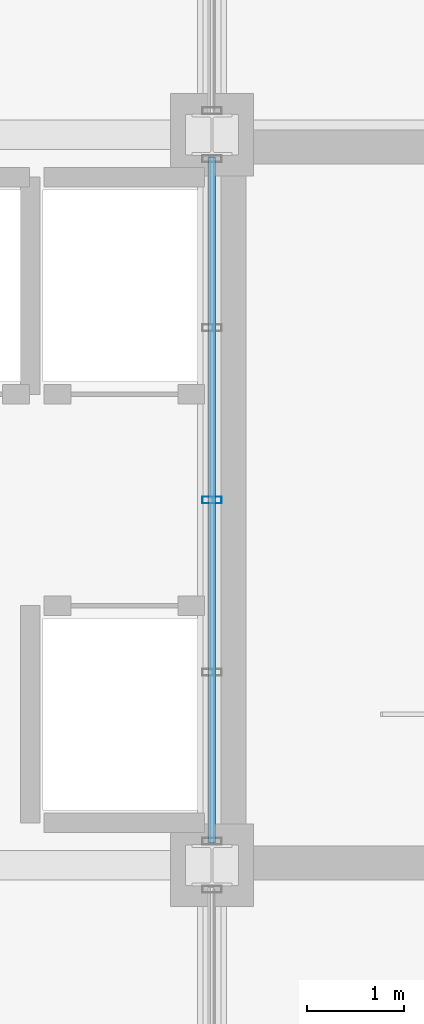
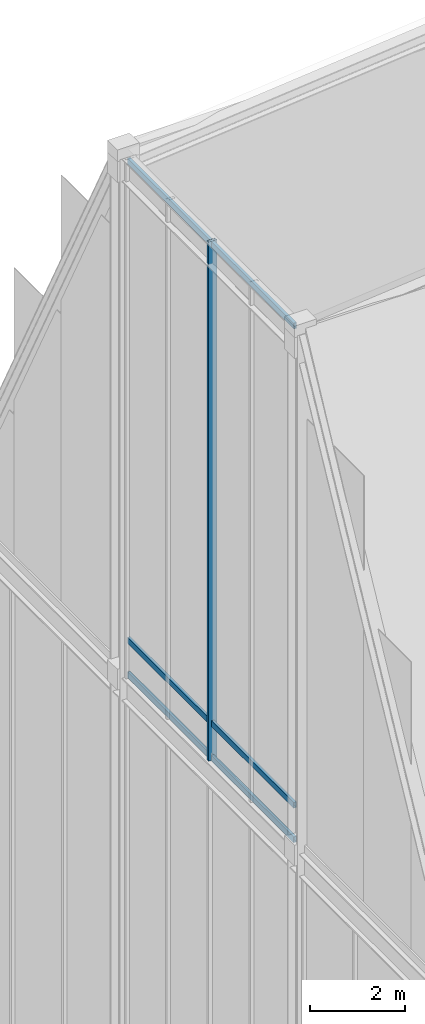
# One storey, part 10 of 49: 4 members, 1 element without a shape of its own.
"""IFC4 building model written with IfcOpenShell, lengths in metres."""

import ifcopenshell
import ifcopenshell.guid

model = None  # the IFC model being written
_history = None  # IfcOwnerHistory: only IFC2X3 demands one
_inside = {}  # id of a spatial element -> (the spatial element, [elements in it])
_under = {}  # id of a project, library or spatial element -> (it, [spatial elements below it])
_declared = {}  # id of a project -> (the project, [libraries it declares])
_typed = {}  # id of a type object -> (the type object, [elements of that type])
_made_of = {}  # id of a material, layer set ... -> (it, [elements and type objects made of it])


def new_model(schema):
    """Start an empty IFC model of exactly this schema.

    Asked for "IFC4X3", IfcOpenShell would pick the latest addendum, in which some entities
    have other attributes; the version numbers below select the first issue.
    IFC2X3 requires an IfcOwnerHistory on every rooted entity: one is made here for all.
    """
    global model, _history
    if schema == "IFC4X3":
        model = ifcopenshell.file(schema_version=(4, 3, 0, 0))
    else:
        model = ifcopenshell.file(schema=schema)
    _inside.clear()
    _under.clear()
    _declared.clear()
    _typed.clear()
    _made_of.clear()
    _history = None
    if model.schema == "IFC2X3":
        org = make("IfcOrganization", Name="unknown")
        user = make(
            "IfcPersonAndOrganization",
            ThePerson=make("IfcPerson", FamilyName="unknown"),
            TheOrganization=org,
        )
        app = make(
            "IfcApplication",
            ApplicationDeveloper=org,
            Version="unknown",
            ApplicationFullName="unknown",
            ApplicationIdentifier="unknown",
        )
        _history = make(
            "IfcOwnerHistory",
            OwningUser=user,
            OwningApplication=app,
            ChangeAction="ADDED",
            CreationDate=0,
        )
    return model


def make(cls, **values):
    """One entity of the class cls with the attributes given. An attribute that is None is left unset."""
    return model.create_entity(
        cls, **{name: value for name, value in values.items() if value is not None}
    )


def rooted(cls, **values):
    """An entity with a GlobalId (a new one), such as an element, a storey or a relation."""
    return make(cls, GlobalId=ifcopenshell.guid.new(), OwnerHistory=_history, **values)


def si_unit(unit_type, name, prefix=None):
    """IfcSIUnit, for example si_unit("LENGTHUNIT", "METRE", prefix="MILLI")."""
    return make("IfcSIUnit", UnitType=unit_type, Prefix=prefix, Name=name)


def assignment(units):
    """IfcUnitAssignment: the units of a project."""
    return None if units is None else make("IfcUnitAssignment", Units=units)


def point(xyz):
    """IfcCartesianPoint."""
    return None if xyz is None else make("IfcCartesianPoint", Coordinates=xyz)


def direction(xyz):
    """IfcDirection."""
    return None if xyz is None else make("IfcDirection", DirectionRatios=xyz)


def frame(location, z_axis=None, x_axis=None):
    """IfcAxis2Placement3D, a coordinate frame: its origin and axes. An axis left out is left unset."""
    return make(
        "IfcAxis2Placement3D",
        Location=point(location),
        Axis=direction(z_axis),
        RefDirection=direction(x_axis),
    )


def frame_2d(location, x_axis=None):
    """IfcAxis2Placement2D, a coordinate frame in the plane: its origin and x axis."""
    return make(
        "IfcAxis2Placement2D", Location=point(location), RefDirection=direction(x_axis)
    )


def origin():
    """The frame at (0, 0, 0) with its axes left unset."""
    return frame((0.0, 0.0, 0.0))


def origin_2d():
    """The frame at (0, 0) in the plane with its x axis left unset."""
    return frame_2d((0.0, 0.0))


def place(relative_to, where):
    """IfcLocalPlacement: puts the frame where relative to a parent placement (None: the world)."""
    return make(
        "IfcLocalPlacement", PlacementRelTo=relative_to, RelativePlacement=where
    )


def context(
    kind, dimensions, precision=None, world=None, true_north=None, identifier=None
):
    """IfcGeometricRepresentationContext, for example the 3D "Model" context."""
    return make(
        "IfcGeometricRepresentationContext",
        ContextIdentifier=identifier,
        ContextType=kind,
        CoordinateSpaceDimension=dimensions,
        Precision=precision,
        WorldCoordinateSystem=world,
        TrueNorth=true_north,
    )


def subcontext(parent, identifier, kind, view, scale=None):
    """IfcGeometricRepresentationSubContext, for example "Body" below "Model"."""
    return make(
        "IfcGeometricRepresentationSubContext",
        ContextIdentifier=identifier,
        ContextType=kind,
        ParentContext=parent,
        TargetScale=scale,
        TargetView=view,
    )


def project(units=None, contexts=None):
    """IfcProject with its units and contexts."""
    return rooted(
        "IfcProject",
        Name="project",
        RepresentationContexts=contexts,
        UnitsInContext=assignment(units),
    )


def spatial(cls, under=None, at=None, **own):
    """A site, building, storey or space (cls), placed at a placement, below another one or the project."""
    s = rooted(cls, ObjectPlacement=at, **own)
    if under is not None:
        _under.setdefault(under.id(), (under, []))[1].append(s)
    return s


def profile(cls, at=None, kind="AREA", **sizes):
    """A parametric profile (cls). Its sizes go by their IFC names, for example OverallWidth=200.0."""
    return make(cls, ProfileType=kind, Position=at, **sizes)


def hollow_rectangle(**sizes):
    """IfcRectangleHollowProfileDef."""
    return profile("IfcRectangleHollowProfileDef", **sizes)


def extrude(swept, where, along, depth):
    """IfcExtrudedAreaSolid: the profile swept, set in the frame where, extruded along a direction by depth."""
    return make(
        "IfcExtrudedAreaSolid",
        SweptArea=swept,
        Position=where,
        ExtrudedDirection=direction(along),
        Depth=depth,
    )


def shape(context_of_items, identifier, shape_type, items):
    """IfcShapeRepresentation: the items that make up one representation, for example the "Body"."""
    return make(
        "IfcShapeRepresentation",
        ContextOfItems=context_of_items,
        RepresentationIdentifier=identifier,
        RepresentationType=shape_type,
        Items=items,
    )


def source(mapping_origin, context_of_items, identifier, shape_type, items):
    """IfcRepresentationMap: a shape defined once, which mapped items show again and again."""
    return make(
        "IfcRepresentationMap",
        MappingOrigin=mapping_origin,
        MappedRepresentation=shape(context_of_items, identifier, shape_type, items),
    )


def transform(
    local_origin,
    x_axis=None,
    y_axis=None,
    z_axis=None,
    scale=None,
    scale2=None,
    scale3=None,
    uniform=True,
):
    """IfcCartesianTransformationOperator3D, or its non-uniform kind. x_axis, y_axis, z_axis: its Axis1, 2, 3."""
    if uniform:
        return make(
            "IfcCartesianTransformationOperator3D",
            Axis1=direction(x_axis),
            Axis2=direction(y_axis),
            LocalOrigin=point(local_origin),
            Scale=scale,
            Axis3=direction(z_axis),
        )
    return make(
        "IfcCartesianTransformationOperator3DnonUniform",
        Axis1=direction(x_axis),
        Axis2=direction(y_axis),
        LocalOrigin=point(local_origin),
        Scale=scale,
        Axis3=direction(z_axis),
        Scale2=scale2,
        Scale3=scale3,
    )


def mapped(mapping_source, mapping_target):
    """IfcMappedItem: shows the shape of a source again, moved by a transform."""
    return make(
        "IfcMappedItem", MappingSource=mapping_source, MappingTarget=mapping_target
    )


def material(Name=None, Category=None):
    """IfcMaterial."""
    return make("IfcMaterial", Name=Name, Category=Category)


def layer(
    of_material, thickness, ventilated=None, Name=None, Category=None, Priority=None
):
    """IfcMaterialLayer: one layer of a wall or slab, of a material (None: an air gap)."""
    return make(
        "IfcMaterialLayer",
        Material=of_material,
        LayerThickness=thickness,
        IsVentilated=ventilated,
        Name=Name,
        Category=Category,
        Priority=Priority,
    )


def layer_set(layers, Name=None):
    """IfcMaterialLayerSet."""
    return make("IfcMaterialLayerSet", MaterialLayers=layers, LayerSetName=Name)


def material_profile(
    of_material, cross_section, Name=None, Category=None, Priority=None
):
    """IfcMaterialProfile: a cross section and its material."""
    return make(
        "IfcMaterialProfile",
        Name=Name,
        Material=of_material,
        Profile=cross_section,
        Priority=Priority,
        Category=Category,
    )


def profile_set(profiles, Name=None, composite=None):
    """IfcMaterialProfileSet."""
    return make(
        "IfcMaterialProfileSet",
        Name=Name,
        MaterialProfiles=profiles,
        CompositeProfile=composite,
    )


def made_of(thing, what):
    """Note that an element or type object is made of a material, layer set ...; save() writes the relation."""
    if what is not None:
        _made_of.setdefault(what.id(), (what, []))[1].append(thing)
    return thing


def type_object(cls, material=None, **own):
    """A type object (cls), such as IfcWallType, which elements share."""
    return made_of(rooted(cls, **own), material)


def element(
    cls,
    number,
    at=None,
    inside=None,
    cuts=None,
    type_object=None,
    material=None,
    context=None,
    identifier="Body",
    shape_type=None,
    held_by="IfcProductDefinitionShape",
    body=None,
    shapes=None,
    **own,
):
    """One element of the class cls, such as IfcWall. Its Tag is "e" and its number.

    at: its placement. inside: the storey or other place that contains it. cuts: it is an
    opening in that element (IfcRelVoidsElement). A single representation is given by context,
    identifier, shape_type and body (its items); several are given by shapes. held_by: the class
    of the entity that holds the representations. save() writes the other relations.
    """
    e = rooted(cls, Tag="e%d" % number, ObjectPlacement=at, **own)
    if body is not None:
        shapes = [shape(context, identifier, shape_type, body)]
    if shapes is not None:
        e.Representation = make(held_by, Representations=shapes)
    if inside is not None:
        _inside.setdefault(inside.id(), (inside, []))[1].append(e)
    if cuts is not None:
        rooted(
            "IfcRelVoidsElement", RelatingBuildingElement=cuts, RelatedOpeningElement=e
        )
    if type_object is not None:
        _typed.setdefault(type_object.id(), (type_object, []))[1].append(e)
    return made_of(e, material)


def aggregate(whole, parts):
    """IfcRelAggregates: a whole, such as a stair, and the parts it consists of."""
    return rooted("IfcRelAggregates", RelatingObject=whole, RelatedObjects=parts)


def save(model, path):
    """Write the relations noted so far, then the file.

    IfcRelAggregates (storeys below a building ...), IfcRelContainedInSpatialStructure (elements
    in a storey), IfcRelDefinesByType, IfcRelAssociatesMaterial and IfcRelDeclares: one each for
    every whole, place, type object, material and project.
    """
    for whole, parts in _under.values():
        aggregate(whole, parts)
    for where, things in _inside.values():
        rooted(
            "IfcRelContainedInSpatialStructure",
            RelatedElements=things,
            RelatingStructure=where,
        )
    for kind, things in _typed.values():
        rooted("IfcRelDefinesByType", RelatedObjects=things, RelatingType=kind)
    for what, things in _made_of.values():
        rooted("IfcRelAssociatesMaterial", RelatedObjects=things, RelatingMaterial=what)
    for by, libraries in _declared.values():
        rooted("IfcRelDeclares", RelatingContext=by, RelatedDefinitions=libraries)
    model.write(path)


model = new_model("IFC4")

# Units and contexts
model_context = context("Model", 3, precision=1e-05, world=origin(), true_north=direction((0.0, 1.0)))
body_context = subcontext(model_context, "Body", "Model", "MODEL_VIEW")
ifc_project = project(units=[si_unit("LENGTHUNIT", "METRE"), si_unit("AREAUNIT", "SQUARE_METRE"), si_unit("VOLUMEUNIT", "CUBIC_METRE"), si_unit("PLANEANGLEUNIT", "RADIAN"), si_unit("MASSUNIT", "GRAM", prefix="KILO")], contexts=[model_context])

# Site, building, storey
site_placement = place(None, origin())
site = spatial("IfcSite", under=ifc_project, at=site_placement, CompositionType="ELEMENT")
building_placement = place(site_placement, origin())
building = spatial("IfcBuilding", under=site, at=building_placement, Name="Kaliganga Portal Commons", CompositionType="ELEMENT")
storey_placement = place(building_placement, frame((0.0, 0.0, 298.0)))
storey = spatial("IfcBuildingStorey", under=building, at=storey_placement, Name="L77", CompositionType="ELEMENT", Elevation=298.0)

# Curtain wall, members
ifc_material_1 = material(Name="Anodized Aluminium and Laminated Low-E Glass", Category="aluminium")
ifc_layer = layer(ifc_material_1, 0.25)
ifc_layer_set = layer_set([ifc_layer], Name="Anodized Aluminium and Laminated Low-E Glass")
curtain_wall_type = type_object("IfcCurtainWallType", Name="CW-SYS-06", PredefinedType="NOTDEFINED", material=ifc_layer_set)
curtain_wall_placement = place(storey_placement, origin())
curtain_wall = element("IfcCurtainWall", 1, at=curtain_wall_placement, inside=storey, type_object=curtain_wall_type, Name="CW 06 L77 WU", PredefinedType="NOTDEFINED")
ifc_material_2 = material(Name="Dark Bronze Anodized Aluminium", Category="aluminium")
ifc_material_profile_1 = material_profile(ifc_material_2, hollow_rectangle(XDim=0.070068359375, YDim=0.14990234375, WallThickness=0.00341796875, at=origin_2d()), Name="ALU TRAN 70x150x3.5")
ifc_profile_set_1 = profile_set([ifc_material_profile_1], Name="Dark Bronze Anodized Aluminium")
member_type_1 = type_object("IfcMemberType", Name="CW-TRN-150", PredefinedType="USERDEFINED", material=ifc_profile_set_1)
shared_shape_1 = source(origin(), body_context, "Body", "SweptSolid", [
    extrude(hollow_rectangle(XDim=0.070068359375, YDim=0.14990234375, WallThickness=0.00341796875, at=origin_2d()), origin(), (0.0, 0.0, 1.0), 7.0400390625),
])
member_1_placement = place(storey_placement, frame((14.39990234375, 28.8798828125, 21.06005859375), z_axis=(0.0, 1.0, 0.0), x_axis=(-1.0, 0.0, 0.0)))
member_1 = element("IfcMember", 2, at=member_1_placement, type_object=member_type_1, Name="CW:06:L77:WU Transom 1", ObjectType="TRANSOM", PredefinedType="USERDEFINED", context=body_context, shape_type="MappedRepresentation", body=[
    mapped(shared_shape_1, transform((0.0, 0.0, 0.0), x_axis=(1.0, 0.0, 0.0), y_axis=(0.0, 1.0, 0.0), z_axis=(0.0, 0.0, 1.0), scale=1.0)),
])
member_2_placement = place(storey_placement, frame((14.39990234375, 28.8798828125, 21.949951171875), z_axis=(0.0, 1.0, 0.0), x_axis=(-1.0, 0.0, 0.0)))
member_2 = element("IfcMember", 3, at=member_2_placement, type_object=member_type_1, Name="CW:06:L77:WU Transom 2", ObjectType="TRANSOM", PredefinedType="USERDEFINED", context=body_context, shape_type="MappedRepresentation", body=[
    mapped(shared_shape_1, transform((0.0, 0.0, 0.0), x_axis=(1.0, 0.0, 0.0), y_axis=(0.0, 1.0, 0.0), z_axis=(0.0, 0.0, 1.0), scale=1.0)),
])
member_3_placement = place(storey_placement, frame((14.39990234375, 28.8798828125, 34.330078125), z_axis=(0.0, 1.0, 0.0), x_axis=(-1.0, 0.0, 0.0)))
member_3 = element("IfcMember", 4, at=member_3_placement, type_object=member_type_1, Name="CW:06:L77:WU Transom 3", ObjectType="TRANSOM", PredefinedType="USERDEFINED", context=body_context, shape_type="MappedRepresentation", body=[
    mapped(shared_shape_1, transform((0.0, 0.0, 0.0), x_axis=(1.0, 0.0, 0.0), y_axis=(0.0, 1.0, 0.0), z_axis=(0.0, 0.0, 1.0), scale=1.0)),
])
ifc_material_profile_2 = material_profile(ifc_material_2, hollow_rectangle(XDim=0.070068359375, YDim=0.199951171875, WallThickness=0.00390625, at=origin_2d()), Name="ALU MULL 70x200x4")
ifc_profile_set_2 = profile_set([ifc_material_profile_2], Name="Dark Bronze Anodized Aluminium")
member_type_2 = type_object("IfcMemberType", Name="CW-MUL-220", PredefinedType="MULLION", material=ifc_profile_set_2)
shared_shape_2 = source(origin(), body_context, "Body", "SweptSolid", [
    extrude(hollow_rectangle(XDim=0.070068359375, YDim=0.199951171875, WallThickness=0.00390625, at=origin_2d()), origin(), (0.0, 0.0, 1.0), 13.409912109375),
])
member_4_placement = place(storey_placement, frame((14.39990234375, 32.39990234375, 21.0), z_axis=(0.0, 0.0, 1.0), x_axis=(0.0, 1.0, 0.0)))
member_4 = element("IfcMember", 5, at=member_4_placement, type_object=member_type_2, Name="CW:06:L77:WU Mullion 02", PredefinedType="MULLION", context=body_context, shape_type="MappedRepresentation", body=[
    mapped(shared_shape_2, transform((0.0, 0.0, 0.0), x_axis=(1.0, 0.0, 0.0), y_axis=(0.0, 1.0, 0.0), z_axis=(0.0, 0.0, 1.0), scale=1.0)),
])
aggregate(curtain_wall, [member_4, member_1, member_2, member_3])

save(model, "model.ifc")
